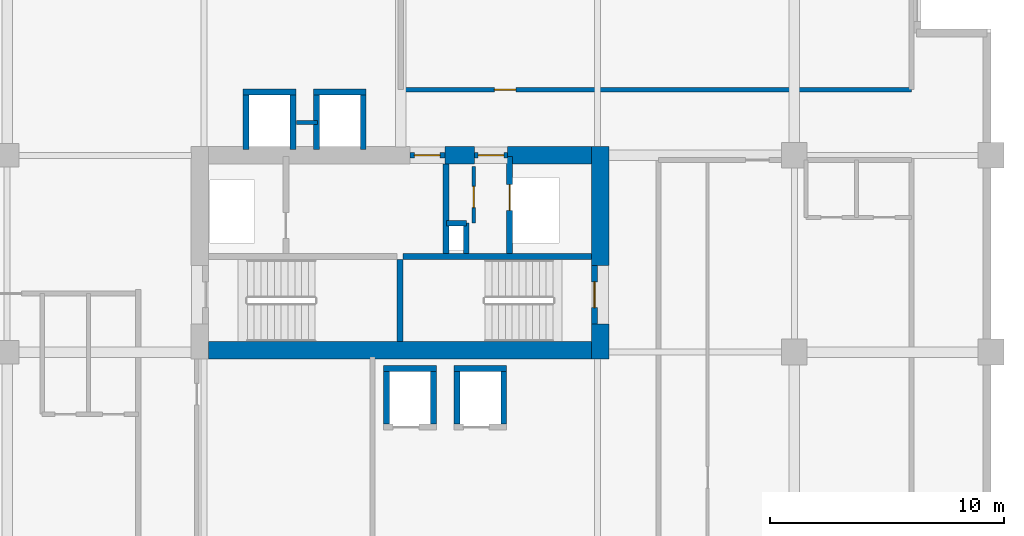
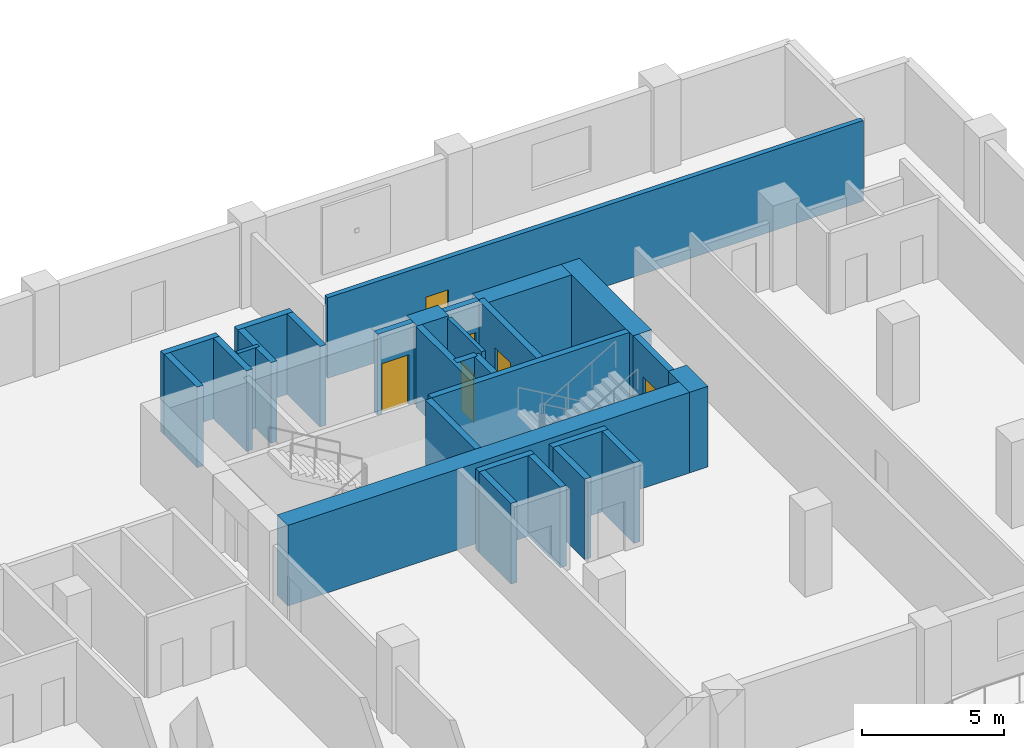
# One storey, part 6 of 16: 29 walls, 6 doors, 6 openings.
"""IFC4 building model written with IfcOpenShell, lengths in metres."""

from ifc_helpers import new_model, si_unit, direction, frame, frame_2d, origin, place, context, subcontext, project, spatial, rectangle, extrude, material, layer, layer_set, type_object, element, fill, save


model = new_model("IFC4")

# Units and contexts
model_context = context("Model", 3, precision=1e-05, world=origin(), true_north=direction((0.0, 1.0)))
body_context = subcontext(model_context, "Body", "Model", "MODEL_VIEW")
ifc_project = project(units=[si_unit("LENGTHUNIT", "METRE"), si_unit("AREAUNIT", "SQUARE_METRE"), si_unit("VOLUMEUNIT", "CUBIC_METRE"), si_unit("PLANEANGLEUNIT", "RADIAN"), si_unit("MASSUNIT", "GRAM", prefix="KILO")], contexts=[model_context])

# Site, building, storey
site_placement = place(None, origin())
site = spatial("IfcSite", under=ifc_project, at=site_placement, CompositionType="ELEMENT")
building_placement = place(site_placement, origin())
building = spatial("IfcBuilding", under=site, at=building_placement, Name="Koriwani Terraces Tower", CompositionType="ELEMENT")
storey_placement = place(building_placement, frame((0.0, 0.0, 186.5)))
storey = spatial("IfcBuildingStorey", under=building, at=storey_placement, Name="L45", CompositionType="ELEMENT", Elevation=186.5)

# Walls
ifc_material_1 = material(Name="Concrete C60/75", Category="concrete")
ifc_layer_1 = layer(ifc_material_1, 0.75, Name="Concrete C60/75")
ifc_layer_set_1 = layer_set([ifc_layer_1], Name="Concrete C60/75")
wall_type_1 = type_object("IfcWallType", Name="WALL_CORE_RC_750", PredefinedType="SHEAR", material=ifc_layer_set_1)
wall_1_placement = place(storey_placement, frame((58.925048828125, 16.5, 0.0), z_axis=(0.0, 0.0, 1.0), x_axis=(0.0, 1.0, 0.0)))
element("IfcWall", 1, at=wall_1_placement, inside=storey, type_object=wall_type_1, Name="L45 East Split Core Shear Wall E1", PredefinedType="SHEAR", context=body_context, shape_type="SweptSolid", body=[
    extrude(rectangle(XDim=1.5, YDim=0.75, at=frame_2d((0.75, 0.0))), origin(), (0.0, 0.0, 1.0), 3.469970703125),
])
wall_2_placement = place(storey_placement, frame((58.925048828125, 20.5, 0.0), z_axis=(0.0, 0.0, 1.0), x_axis=(0.0, 1.0, 0.0)))
element("IfcWall", 2, at=wall_2_placement, inside=storey, type_object=wall_type_1, Name="L45 East Split Core Shear Wall E2", PredefinedType="SHEAR", context=body_context, shape_type="SweptSolid", body=[
    extrude(rectangle(XDim=5.074951171875, YDim=0.75, at=frame_2d((2.53759765625, 0.0))), origin(), (0.0, 0.0, 1.0), 3.469970703125),
])
wall_3_placement = place(storey_placement, frame((42.199951171875, 16.875, 0.0), z_axis=(0.0, 0.0, 1.0), x_axis=(1.0, 0.0, 0.0)))
element("IfcWall", 3, at=wall_3_placement, inside=storey, type_object=wall_type_1, Name="L45 East Split Core Shear Wall S1", PredefinedType="SHEAR", context=body_context, shape_type="SweptSolid", body=[
    extrude(rectangle(XDim=16.35009765625, YDim=0.75, at=frame_2d((8.175048828125, 0.0))), origin(), (0.0, 0.0, 1.0), 3.469970703125),
])
wall_4_placement = place(storey_placement, frame((52.280029296875, 25.199951171875, 0.0), z_axis=(0.0, 0.0, 1.0), x_axis=(1.0, 0.0, 0.0)))
element("IfcWall", 4, at=wall_4_placement, inside=storey, type_object=wall_type_1, Name="L45 East Split Core Shear Wall N2", PredefinedType="SHEAR", context=body_context, shape_type="SweptSolid", body=[
    extrude(rectangle(XDim=1.27001953125, YDim=0.75, at=frame_2d((0.635009765625, 0.0))), origin(), (0.0, 0.0, 1.0), 3.469970703125),
])
wall_5_placement = place(storey_placement, frame((54.949951171875, 25.199951171875, 0.0), z_axis=(0.0, 0.0, 1.0), x_axis=(1.0, 0.0, 0.0)))
element("IfcWall", 5, at=wall_5_placement, inside=storey, type_object=wall_type_1, Name="L45 East Split Core Shear Wall N3", PredefinedType="SHEAR", context=body_context, shape_type="SweptSolid", body=[
    extrude(rectangle(XDim=3.60009765625, YDim=0.75, at=frame_2d((1.800048828125, 0.0))), origin(), (0.0, 0.0, 1.0), 3.469970703125),
])

# Wall, opening, door
ifc_material_2 = material(Name="Autoclaved Cellular Concrete Blockwork", Category="masonry")
ifc_layer_2 = layer(ifc_material_2, 0.199951171875, Name="Autoclaved Cellular Concrete Blockwork")
ifc_layer_set_2 = layer_set([ifc_layer_2], Name="Autoclaved Cellular Concrete Blockwork")
wall_type_2 = type_object("IfcWallType", Name="WALL_CORRIDOR_200", PredefinedType="PARTITIONING", material=ifc_layer_set_2)
wall_6_placement = place(storey_placement, frame((50.39990234375, 28.0, 0.0), z_axis=(0.0, 0.0, 1.0), x_axis=(1.0, 0.0, 0.0)))
wall_6 = element("IfcWall", 6, at=wall_6_placement, inside=storey, type_object=wall_type_2, Name="L45 Interior Wall WSEC-S-L45", PredefinedType="PARTITIONING", context=body_context, shape_type="SweptSolid", body=[
    extrude(rectangle(XDim=21.800048828125, YDim=0.199951171875, at=frame_2d((10.89990234375, 0.0))), origin(), (0.0, 0.0, 1.0), 3.469970703125),
])
opening_1_placement = place(wall_6_placement, frame((4.0, 0.0, 0.0)))
opening_1 = element("IfcOpeningElement", 7, at=opening_1_placement, cuts=wall_6, Name="Opening D-06", PredefinedType="OPENING", context=body_context, shape_type="SweptSolid", body=[
    extrude(rectangle(XDim=0.919921875, YDim=2.10009765625, at=frame_2d((0.4599609375, 1.050048828125))), frame((0.0, 0.10986328125, 0.0), z_axis=(0.0, -1.0, 0.0), x_axis=(1.0, 0.0, 0.0)), (0.0, 0.0, 1.0), 0.219970703125),
])
ifc_material_3 = material(Name="Architectural Oak Fire Door", Category="wood")
door_type_1 = type_object("IfcDoorType", Name="DOOR_ROOM_INT_920X2100", OperationType="NOTDEFINED", PredefinedType="DOOR", material=ifc_material_3)
door_1_placement = place(opening_1_placement, origin())
door_1 = element("IfcDoor", 8, at=door_1_placement, inside=storey, type_object=door_type_1, Name="L45 East Court Study Door", OperationType="SINGLE_SWING_RIGHT", OverallHeight=2.10009765625, OverallWidth=0.919921875, PredefinedType="DOOR", context=body_context, shape_type="SweptSolid", body=[
    extrude(rectangle(XDim=0.919921875, YDim=2.10009765625, at=frame_2d((0.4599609375, 1.050048828125))), frame((0.0, 0.02490234375, 0.0), z_axis=(0.0, -1.0, 0.0), x_axis=(1.0, 0.0, 0.0)), (0.0, 0.0, 1.0), 0.050048828125),
])
fill(opening_1, door_1)

# Walls
ifc_material_4 = material(Name="Concrete C40/50", Category="concrete")
ifc_layer_3 = layer(ifc_material_4, 0.25, Name="Concrete C40/50")
ifc_layer_set_3 = layer_set([ifc_layer_3], Name="Concrete C40/50")
wall_type_3 = type_object("IfcWallType", Name="WALL_SHAFT_RATED_250", PredefinedType="SOLIDWALL", material=ifc_layer_set_3)
wall_7_placement = place(storey_placement, frame((50.5, 20.875, 0.0), z_axis=(0.0, 0.0, 1.0), x_axis=(1.0, 0.0, 0.0)))
element("IfcWall", 9, at=wall_7_placement, inside=storey, type_object=wall_type_3, Name="L45 East Split Core Web Wall MID2", PredefinedType="SOLIDWALL", context=body_context, shape_type="SweptSolid", body=[
    extrude(rectangle(XDim=8.050048828125, YDim=0.25, at=frame_2d((4.02490234375, 0.0))), origin(), (0.0, 0.0, 1.0), 3.469970703125),
])
wall_8_placement = place(storey_placement, frame((50.375, 17.25, 0.0), z_axis=(0.0, 0.0, 1.0), x_axis=(0.0, 1.0, 0.0)))
element("IfcWall", 10, at=wall_8_placement, inside=storey, type_object=wall_type_3, Name="L45 East Split Core Stair Dividing Wall", PredefinedType="SOLIDWALL", context=body_context, shape_type="SweptSolid", body=[
    extrude(rectangle(XDim=3.5, YDim=0.25, at=frame_2d((1.75, 0.0))), origin(), (0.0, 0.0, 1.0), 3.469970703125),
])

# Wall, opening, door
wall_9_placement = place(storey_placement, frame((58.675048828125, 18.0, 0.0), z_axis=(0.0, 0.0, 1.0), x_axis=(0.0, 1.0, 0.0)))
wall_9 = element("IfcWall", 11, at=wall_9_placement, inside=storey, type_object=wall_type_3, Name="L45 Interior Wall WIN-CE-L45-STE", PredefinedType="SOLIDWALL", context=body_context, shape_type="SweptSolid", body=[
    extrude(rectangle(XDim=2.5, YDim=0.25, at=frame_2d((1.25, 0.0))), origin(), (0.0, 0.0, 1.0), 3.469970703125),
])
opening_2_placement = place(wall_9_placement, frame((0.699951171875, 0.0, 0.0)))
opening_2 = element("IfcOpeningElement", 12, at=opening_2_placement, cuts=wall_9, Name="Opening D-03", PredefinedType="OPENING", context=body_context, shape_type="SweptSolid", body=[
    extrude(rectangle(XDim=1.10009765625, YDim=2.14990234375, at=frame_2d((0.550048828125, 1.074951171875))), frame((0.0, 0.135009765625, 0.0), z_axis=(0.0, -1.0, 0.0), x_axis=(1.0, 0.0, 0.0)), (0.0, 0.0, 1.0), 0.27001953125),
])
ifc_material_5 = material(Name="Steel ASTM A572 Grade 50", Category="steel")
door_type_2 = type_object("IfcDoorType", Name="DOOR_STAIR_FIRE_1100X2150", OperationType="NOTDEFINED", PredefinedType="DOOR", material=ifc_material_5)
door_2_placement = place(opening_2_placement, origin())
door_2 = element("IfcDoor", 13, at=door_2_placement, inside=storey, type_object=door_type_2, Name="L45 Exit Stair ST-E2 Door", OperationType="SINGLE_SWING_LEFT", OverallHeight=2.14990234375, OverallWidth=1.10009765625, PredefinedType="DOOR", context=body_context, shape_type="SweptSolid", body=[
    extrude(rectangle(XDim=1.10009765625, YDim=2.14990234375, at=frame_2d((0.550048828125, 1.074951171875))), frame((0.0, 0.02490234375, 0.0), z_axis=(0.0, -1.0, 0.0), x_axis=(1.0, 0.0, 0.0)), (0.0, 0.0, 1.0), 0.050048828125),
])
fill(opening_2, door_2)

wall_10_placement = place(storey_placement, frame((50.800048828125, 25.199951171875, 0.0), z_axis=(0.0, 0.0, 1.0), x_axis=(1.0, 0.0, 0.0)))
wall_10 = element("IfcWall", 14, at=wall_10_placement, inside=storey, type_object=wall_type_3, Name="L45 Interior Wall WIN-CE-L45-NP", PredefinedType="SOLIDWALL", context=body_context, shape_type="SweptSolid", body=[
    extrude(rectangle(XDim=1.47998046875, YDim=0.25, at=frame_2d((0.739990234375, 0.0))), origin(), (0.0, 0.0, 1.0), 3.469970703125),
])
opening_3_placement = place(wall_10_placement, frame((0.179931640625, 0.0, 0.0)))
opening_3 = element("IfcOpeningElement", 15, at=opening_3_placement, cuts=wall_10, Name="Opening D-03", PredefinedType="OPENING", context=body_context, shape_type="SweptSolid", body=[
    extrude(rectangle(XDim=1.10009765625, YDim=2.14990234375, at=frame_2d((0.550048828125, 1.074951171875))), frame((0.0, 0.135009765625, 0.0), z_axis=(0.0, -1.0, 0.0), x_axis=(1.0, 0.0, 0.0)), (0.0, 0.0, 1.0), 0.27001953125),
])
door_3_placement = place(opening_3_placement, origin())
door_3 = element("IfcDoor", 16, at=door_3_placement, inside=storey, type_object=door_type_2, Name="L45 East Firefighting Lobby Door", OperationType="SINGLE_SWING_RIGHT", OverallHeight=2.14990234375, OverallWidth=1.10009765625, PredefinedType="DOOR", context=body_context, shape_type="SweptSolid", body=[
    extrude(rectangle(XDim=1.10009765625, YDim=2.14990234375, at=frame_2d((0.550048828125, 1.074951171875))), frame((0.0, 0.02490234375, 0.0), z_axis=(0.0, -1.0, 0.0), x_axis=(1.0, 0.0, 0.0)), (0.0, 0.0, 1.0), 0.050048828125),
])
fill(opening_3, door_3)

# Wall
wall_11_placement = place(storey_placement, frame((52.340087890625, 21.0, 0.0), z_axis=(0.0, 0.0, 1.0), x_axis=(0.0, 1.0, 0.0)))
element("IfcWall", 17, at=wall_11_placement, inside=storey, type_object=wall_type_3, Name="L45 Interior Wall WIN-CE-L45-FFE", PredefinedType="SOLIDWALL", context=body_context, shape_type="SweptSolid", body=[
    extrude(rectangle(XDim=3.824951171875, YDim=0.25, at=frame_2d((1.91259765625, 0.0))), origin(), (0.0, 0.0, 1.0), 3.469970703125),
])

# Wall, opening, door
wall_12_placement = place(storey_placement, frame((55.050048828125, 21.0, 0.0), z_axis=(0.0, 0.0, 1.0), x_axis=(0.0, 1.0, 0.0)))
wall_12 = element("IfcWall", 18, at=wall_12_placement, inside=storey, type_object=wall_type_3, Name="L45 Interior Wall WIN-CE-L45-SE", PredefinedType="SOLIDWALL", context=body_context, shape_type="SweptSolid", body=[
    extrude(rectangle(XDim=4.14990234375, YDim=0.25, at=frame_2d((2.074951171875, 0.0))), origin(), (0.0, 0.0, 1.0), 3.469970703125),
])
opening_4_placement = place(wall_12_placement, frame((1.85009765625, 0.0, 0.0)))
opening_4 = element("IfcOpeningElement", 19, at=opening_4_placement, cuts=wall_12, Name="Opening LD-01", PredefinedType="OPENING", context=body_context, shape_type="SweptSolid", body=[
    extrude(rectangle(XDim=1.10009765625, YDim=2.14990234375, at=frame_2d((0.550048828125, 1.074951171875))), frame((0.0, 0.135009765625, 0.0), z_axis=(0.0, -1.0, 0.0), x_axis=(1.0, 0.0, 0.0)), (0.0, 0.0, 1.0), 0.27001953125),
])
door_type_3 = type_object("IfcDoorType", Name="DOOR_LIFT_LANDING_1100X2200", OperationType="NOTDEFINED", PredefinedType="DOOR", material=ifc_material_5)
door_4_placement = place(opening_4_placement, origin())
door_4 = element("IfcDoor", 20, at=door_4_placement, inside=storey, type_object=door_type_3, Name="L45 Goods Lift SE-02 Landing Door", OperationType="SLIDING_TO_LEFT", OverallHeight=2.14990234375, OverallWidth=1.10009765625, PredefinedType="DOOR", context=body_context, shape_type="SweptSolid", body=[
    extrude(rectangle(XDim=1.10009765625, YDim=2.14990234375, at=frame_2d((0.550048828125, 1.074951171875))), frame((0.0, 0.02490234375, 0.0), z_axis=(0.0, -1.0, 0.0), x_axis=(1.0, 0.0, 0.0)), (0.0, 0.0, 1.0), 0.050048828125),
])
fill(opening_4, door_4)

wall_13_placement = place(storey_placement, frame((53.550048828125, 25.199951171875, 0.0), z_axis=(0.0, 0.0, 1.0), x_axis=(1.0, 0.0, 0.0)))
wall_13 = element("IfcWall", 21, at=wall_13_placement, inside=storey, type_object=wall_type_3, Name="L45 Interior Wall WIN-CE-L45-NP2", PredefinedType="SOLIDWALL", context=body_context, shape_type="SweptSolid", body=[
    extrude(rectangle(XDim=1.39990234375, YDim=0.25, at=frame_2d((0.699951171875, 0.0))), origin(), (0.0, 0.0, 1.0), 3.469970703125),
])
opening_5_placement = place(wall_13_placement, frame((0.14990234375, 0.0, 0.0)))
opening_5 = element("IfcOpeningElement", 22, at=opening_5_placement, cuts=wall_13, Name="Opening D-03", PredefinedType="OPENING", context=body_context, shape_type="SweptSolid", body=[
    extrude(rectangle(XDim=1.10009765625, YDim=2.14990234375, at=frame_2d((0.550048828125, 1.074951171875))), frame((0.0, 0.135009765625, 0.0), z_axis=(0.0, -1.0, 0.0), x_axis=(1.0, 0.0, 0.0)), (0.0, 0.0, 1.0), 0.27001953125),
])
door_5_placement = place(opening_5_placement, origin())
door_5 = element("IfcDoor", 23, at=door_5_placement, inside=storey, type_object=door_type_2, Name="L45 East Goods Lift Lobby Door", OperationType="SINGLE_SWING_LEFT", OverallHeight=2.14990234375, OverallWidth=1.10009765625, PredefinedType="DOOR", context=body_context, shape_type="SweptSolid", body=[
    extrude(rectangle(XDim=1.10009765625, YDim=2.14990234375, at=frame_2d((0.550048828125, 1.074951171875))), frame((0.0, 0.02490234375, 0.0), z_axis=(0.0, -1.0, 0.0), x_axis=(1.0, 0.0, 0.0)), (0.0, 0.0, 1.0), 0.050048828125),
])
fill(opening_5, door_5)

# Walls
wall_14_placement = place(storey_placement, frame((53.199951171875, 21.0, 0.0), z_axis=(0.0, 0.0, 1.0), x_axis=(0.0, 1.0, 0.0)))
element("IfcWall", 24, at=wall_14_placement, inside=storey, type_object=wall_type_3, Name="L45 Interior Wall WIN-CE-L45-RS1", PredefinedType="SOLIDWALL", context=body_context, shape_type="SweptSolid", body=[
    extrude(rectangle(XDim=1.300048828125, YDim=0.25, at=frame_2d((0.64990234375, 0.0))), origin(), (0.0, 0.0, 1.0), 3.469970703125),
])
wall_15_placement = place(storey_placement, frame((52.360107421875, 22.300048828125, 0.0), z_axis=(0.0, 0.0, 1.0), x_axis=(1.0, 0.0, 0.0)))
element("IfcWall", 25, at=wall_15_placement, inside=storey, type_object=wall_type_3, Name="L45 Interior Wall WIN-CE-L45-RS2", PredefinedType="SOLIDWALL", context=body_context, shape_type="SweptSolid", body=[
    extrude(rectangle(XDim=0.83984375, YDim=0.25, at=frame_2d((0.419921875, 0.0))), origin(), (0.0, 0.0, 1.0), 3.469970703125),
])
for number, where, z_axis, x_axis, name in (
    (26, (49.675048828125, 16.10009765625, 0.0), (0.0, 0.0, 1.0), (1.0, 0.0, 0.0), "L45 Interior Wall WIN-LF-PE-M3-L45-B"),
    (27, (49.800048828125, 13.72509765625, 0.0), (0.0, 0.0, 1.0), (0.0, 1.0, 0.0), "L45 Interior Wall WIN-LF-PE-M3-L45-W"),
    (28, (51.800048828125, 13.72509765625, 0.0), (0.0, 0.0, 1.0), (0.0, 1.0, 0.0), "L45 Interior Wall WIN-LF-PE-M3-L45-E"),
    (29, (52.675048828125, 16.10009765625, 0.0), (0.0, 0.0, 1.0), (1.0, 0.0, 0.0), "L45 Interior Wall WIN-LF-PE-M4-L45-B"),
    (30, (52.800048828125, 13.72509765625, 0.0), (0.0, 0.0, 1.0), (0.0, 1.0, 0.0), "L45 Interior Wall WIN-LF-PE-M4-L45-W"),
    (31, (54.800048828125, 13.72509765625, 0.0), (0.0, 0.0, 1.0), (0.0, 1.0, 0.0), "L45 Interior Wall WIN-LF-PE-M4-L45-E"),
    (32, (43.675048828125, 27.89990234375, 0.0), (0.0, 0.0, 1.0), (1.0, 0.0, 0.0), "L45 Interior Wall WIN-LF-PE-H3-L45-F"),
):
    element("IfcWall", number, at=place(storey_placement, frame(where, z_axis=z_axis, x_axis=x_axis)), inside=storey, type_object=wall_type_3, Name=name, PredefinedType="SOLIDWALL", context=body_context, shape_type="SweptSolid", body=[
        extrude(rectangle(XDim=2.25, YDim=0.25, at=frame_2d((1.125, 0.0))), origin(), (0.0, 0.0, 1.0), 3.469970703125),
    ])
for number, where, z_axis, x_axis, name in (
    (33, (43.800048828125, 25.449951171875, 0.0), (0.0, 0.0, 1.0), (0.0, 1.0, 0.0), "L45 Interior Wall WIN-LF-PE-H3-L45-W"),
    (34, (45.800048828125, 25.449951171875, 0.0), (0.0, 0.0, 1.0), (0.0, 1.0, 0.0), "L45 Interior Wall WIN-LF-PE-H3-L45-E"),
):
    element("IfcWall", number, at=place(storey_placement, frame(where, z_axis=z_axis, x_axis=x_axis)), inside=storey, type_object=wall_type_3, Name=name, PredefinedType="SOLIDWALL", context=body_context, shape_type="SweptSolid", body=[
        extrude(rectangle(XDim=2.324951171875, YDim=0.25, at=frame_2d((1.16259765625, 0.0))), origin(), (0.0, 0.0, 1.0), 3.469970703125),
    ])
wall_16_placement = place(storey_placement, frame((46.675048828125, 27.89990234375, 0.0), z_axis=(0.0, 0.0, 1.0), x_axis=(1.0, 0.0, 0.0)))
element("IfcWall", 35, at=wall_16_placement, inside=storey, type_object=wall_type_3, Name="L45 Interior Wall WIN-LF-PE-H4-L45-F", PredefinedType="SOLIDWALL", context=body_context, shape_type="SweptSolid", body=[
    extrude(rectangle(XDim=2.25, YDim=0.25, at=frame_2d((1.125, 0.0))), origin(), (0.0, 0.0, 1.0), 3.469970703125),
])
for number, where, z_axis, x_axis, name in (
    (36, (46.800048828125, 25.449951171875, 0.0), (0.0, 0.0, 1.0), (0.0, 1.0, 0.0), "L45 Interior Wall WIN-LF-PE-H4-L45-W"),
    (37, (48.800048828125, 25.449951171875, 0.0), (0.0, 0.0, 1.0), (0.0, 1.0, 0.0), "L45 Interior Wall WIN-LF-PE-H4-L45-E"),
):
    element("IfcWall", number, at=place(storey_placement, frame(where, z_axis=z_axis, x_axis=x_axis)), inside=storey, type_object=wall_type_3, Name=name, PredefinedType="SOLIDWALL", context=body_context, shape_type="SweptSolid", body=[
        extrude(rectangle(XDim=2.324951171875, YDim=0.25, at=frame_2d((1.16259765625, 0.0))), origin(), (0.0, 0.0, 1.0), 3.469970703125),
    ])

# Wall, opening, door
ifc_material_6 = material(Name="Fire-Rated Acoustic Gypsum Partition", Category="masonry")
ifc_layer_4 = layer(ifc_material_6, 0.159912109375, Name="Fire-Rated Acoustic Gypsum Partition")
ifc_layer_set_4 = layer_set([ifc_layer_4], Name="Fire-Rated Acoustic Gypsum Partition")
wall_type_4 = type_object("IfcWallType", Name="WALL_SUITE_160", PredefinedType="PARTITIONING", material=ifc_layer_set_4)
wall_17_placement = place(storey_placement, frame((53.52001953125, 22.320068359375, 0.0), z_axis=(0.0, 0.0, 1.0), x_axis=(0.0, 1.0, 0.0)))
wall_17 = element("IfcWall", 38, at=wall_17_placement, inside=storey, type_object=wall_type_4, Name="L45 Interior Wall WIN-CE-L45-SV0", PredefinedType="PARTITIONING", context=body_context, shape_type="SweptSolid", body=[
    extrude(rectangle(XDim=2.39990234375, YDim=0.159912109375, at=frame_2d((1.199951171875, 0.0))), origin(), (0.0, 0.0, 1.0), 3.469970703125),
])
opening_6_placement = place(wall_17_placement, frame((0.64990234375, 0.0, 0.0)))
opening_6 = element("IfcOpeningElement", 39, at=opening_6_placement, cuts=wall_17, Name="Opening D-07", PredefinedType="OPENING", context=body_context, shape_type="SweptSolid", body=[
    extrude(rectangle(XDim=0.89990234375, YDim=2.10009765625, at=frame_2d((0.449951171875, 1.050048828125))), frame((0.0, 0.08984375, 0.0), z_axis=(0.0, -1.0, 0.0), x_axis=(1.0, 0.0, 0.0)), (0.0, 0.0, 1.0), 0.179931640625),
])
door_type_4 = type_object("IfcDoorType", Name="DOOR_BATH_INT_900X2100", OperationType="NOTDEFINED", PredefinedType="DOOR", material=ifc_material_3)
door_6_placement = place(opening_6_placement, origin())
door_6 = element("IfcDoor", 40, at=door_6_placement, inside=storey, type_object=door_type_4, Name="L45 East Electrical Switch Room Door", OperationType="SINGLE_SWING_RIGHT", OverallHeight=2.10009765625, OverallWidth=0.89990234375, PredefinedType="DOOR", context=body_context, shape_type="SweptSolid", body=[
    extrude(rectangle(XDim=0.89990234375, YDim=2.10009765625, at=frame_2d((0.449951171875, 1.050048828125))), frame((0.0, 0.02490234375, 0.0), z_axis=(0.0, -1.0, 0.0), x_axis=(1.0, 0.0, 0.0)), (0.0, 0.0, 1.0), 0.050048828125),
])
fill(opening_6, door_6)

# Wall
wall_18_placement = place(storey_placement, frame((45.9599609375, 26.60009765625, 0.0), z_axis=(0.0, 0.0, 1.0), x_axis=(1.0, 0.0, 0.0)))
element("IfcWall", 41, at=wall_18_placement, inside=storey, type_object=wall_type_4, Name="L45 Interior Wall WIN-LF-PEH34-MID-L45", PredefinedType="PARTITIONING", context=body_context, shape_type="SweptSolid", body=[
    extrude(rectangle(XDim=0.880126953125, YDim=0.159912109375, at=frame_2d((0.43994140625, 0.0))), origin(), (0.0, 0.0, 1.0), 3.469970703125),
])

save(model, "model.ifc")
